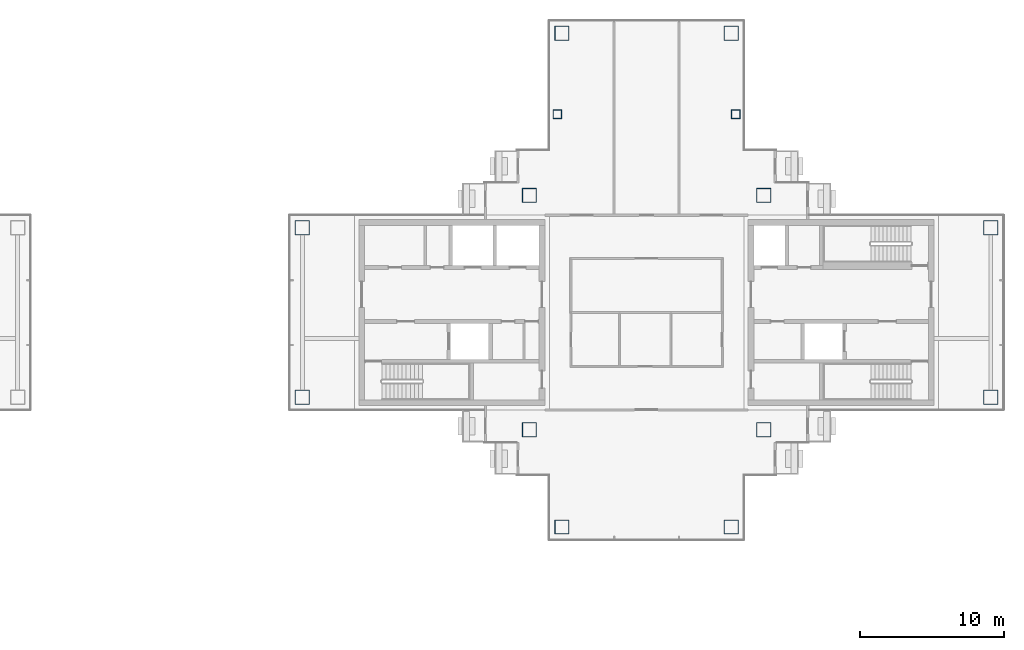
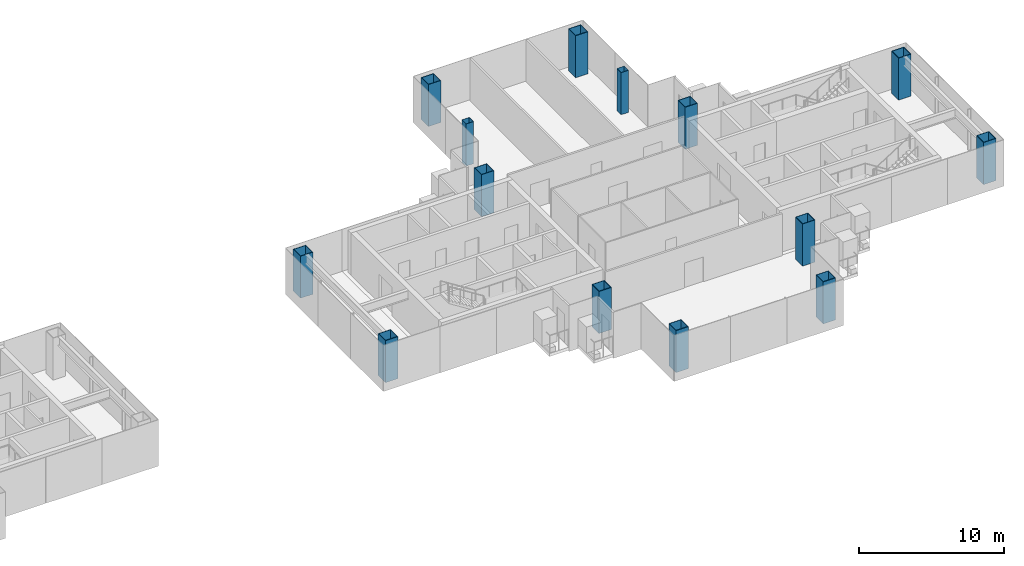
# One storey, part 2 of 16: 14 columns.
"""IFC4 building model written with IfcOpenShell, lengths in metres."""

from ifc_helpers import new_model, si_unit, direction, frame, origin, origin_2d, place, context, subcontext, project, spatial, hollow_rectangle, extrude, material, material_profile, profile_set, type_object, element, save


model = new_model("IFC4")

# Units and contexts
model_context = context("Model", 3, precision=1e-05, world=origin(), true_north=direction((0.0, 1.0)))
body_context = subcontext(model_context, "Body", "Model", "MODEL_VIEW")
ifc_project = project(units=[si_unit("LENGTHUNIT", "METRE"), si_unit("AREAUNIT", "SQUARE_METRE"), si_unit("VOLUMEUNIT", "CUBIC_METRE"), si_unit("PLANEANGLEUNIT", "RADIAN"), si_unit("MASSUNIT", "GRAM", prefix="KILO")], contexts=[model_context])

# Site, building, storey
site_placement = place(None, origin())
site = spatial("IfcSite", under=ifc_project, at=site_placement, CompositionType="ELEMENT")
building_placement = place(site_placement, origin())
building = spatial("IfcBuilding", under=site, at=building_placement, Name="Shamsa Quay Exchange Towers", CompositionType="ELEMENT")
storey_placement = place(building_placement, frame((0.0, 0.0, 190.5)))
storey = spatial("IfcBuildingStorey", under=building, at=storey_placement, Name="L45", CompositionType="ELEMENT", Elevation=190.5)

# Columns
ifc_material_1 = material(Name="Concrete-filled steel tube S355 / C80/95", Category="concrete")
ifc_material_profile_1 = material_profile(ifc_material_1, hollow_rectangle(XDim=1.0, YDim=1.0, WallThickness=0.0400390625, at=origin_2d()), Name="CFT 1000x1000x40")
ifc_profile_set_1 = profile_set([ifc_material_profile_1], Name="Concrete-filled steel tube S355 / C80/95")
column_type_1 = type_object("IfcColumnType", Name="Column CFT 1000x1000x40", PredefinedType="COLUMN", material=ifc_profile_set_1)
for number, where, name in (
    (1, (25.625, 8.125, 0.0), "Mega column T2-CM01"),
    (2, (41.875, 8.125, 0.0), "Mega column T2-CM02"),
    (3, (25.625, -8.125, 0.0), "Mega column T2-CM03"),
    (4, (41.875, -8.125, 0.0), "Mega column T2-CM04"),
    (5, (39.625, 19.375, 0.0), "Mega column T2-CM06"),
    (6, (27.875, 19.375, 0.0), "Mega column T2-CM10"),
    (7, (39.625, -14.875, 0.0), "Mega column T2-CM13"),
    (8, (27.875, -14.875, 0.0), "Mega column T2-CM16"),
    (9, (9.875, -5.875, 0.0), "Mega column T2-CM19"),
    (10, (9.875, 5.875, 0.0), "Mega column T2-CM20"),
    (11, (57.625, -5.875, 0.0), "Mega column T2-CM21"),
    (12, (57.625, 5.875, 0.0), "Mega column T2-CM23"),
):
    element("IfcColumn", number, at=place(storey_placement, frame(where)), inside=storey, type_object=column_type_1, Name=name, PredefinedType="COLUMN", context=body_context, shape_type="SweptSolid", body=[
        extrude(hollow_rectangle(XDim=1.0, YDim=1.0, WallThickness=0.0400390625, at=origin_2d()), origin(), (0.0, 0.0, 1.0), 3.550048828125),
    ])
ifc_material_2 = material(Name="Concrete-filled steel tube S355 / C60/75", Category="concrete")
ifc_material_profile_2 = material_profile(ifc_material_2, hollow_rectangle(XDim=0.60009765625, YDim=0.60009765625, WallThickness=0.02001953125, at=origin_2d()), Name="CFT 600x600x20")
ifc_profile_set_2 = profile_set([ifc_material_profile_2], Name="Concrete-filled steel tube S355 / C60/75")
column_type_2 = type_object("IfcColumnType", Name="Column CFT 600x600x20", PredefinedType="COLUMN", material=ifc_profile_set_2)
for number, where, name in (
    (13, (39.9375, 13.75, 0.0), "Perimeter column T2-CP05"),
    (14, (27.5625, 13.75, 0.0), "Perimeter column T2-CP09"),
):
    element("IfcColumn", number, at=place(storey_placement, frame(where)), inside=storey, type_object=column_type_2, Name=name, PredefinedType="COLUMN", context=body_context, shape_type="SweptSolid", body=[
        extrude(hollow_rectangle(XDim=0.60009765625, YDim=0.60009765625, WallThickness=0.02001953125, at=origin_2d()), origin(), (0.0, 0.0, 1.0), 3.550048828125),
    ])

save(model, "model.ifc")
